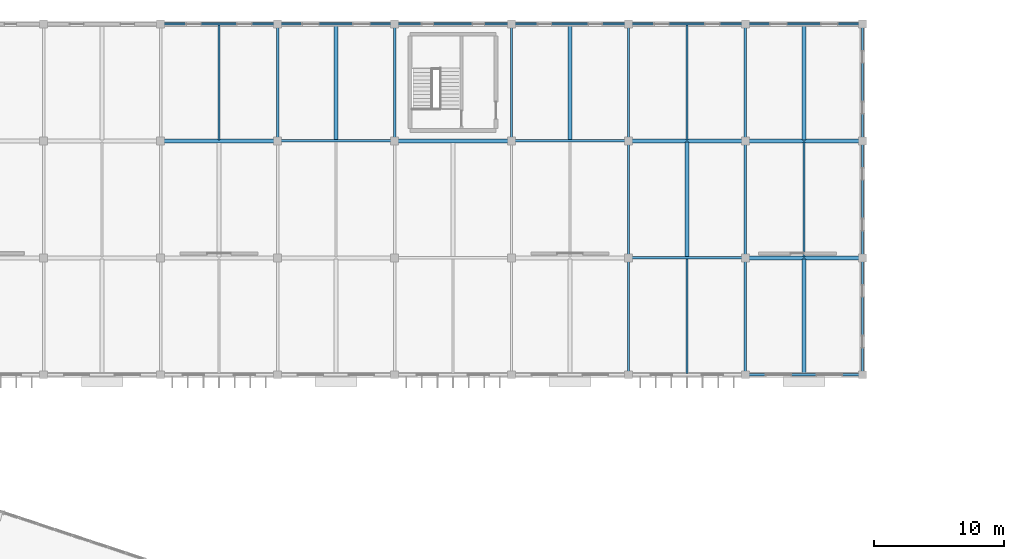
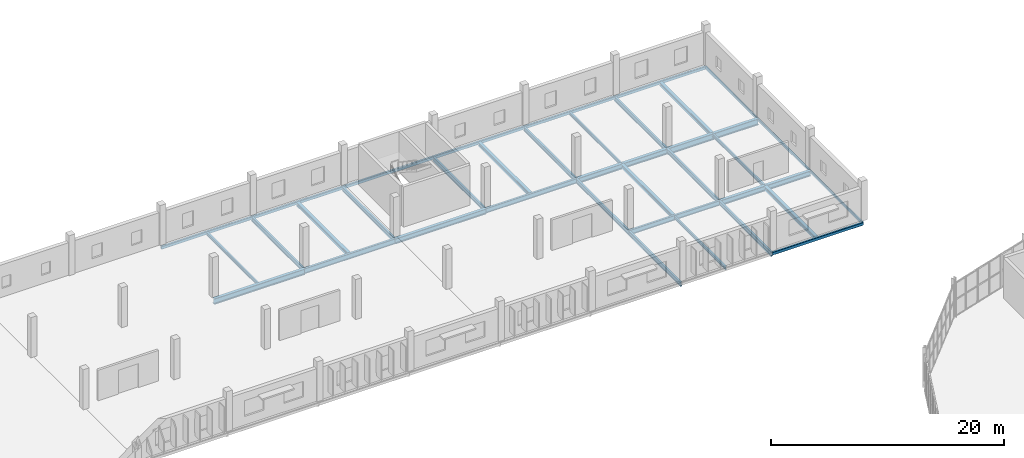
# One storey, part 104 of 161: 36 beams.
"""IFC4 building model written with IfcOpenShell, lengths in metres."""

from ifc_helpers import new_model, si_unit, direction, frame, origin, origin_2d, place, context, subcontext, project, spatial, hollow_rectangle, i_section, extrude, material, material_profile, profile_set, type_object, element, save


model = new_model("IFC4")

# Units and contexts
model_context = context("Model", 3, precision=1e-05, world=origin(), true_north=direction((0.0, 1.0)))
body_context = subcontext(model_context, "Body", "Model", "MODEL_VIEW")
ifc_project = project(units=[si_unit("LENGTHUNIT", "METRE"), si_unit("AREAUNIT", "SQUARE_METRE"), si_unit("VOLUMEUNIT", "CUBIC_METRE"), si_unit("PLANEANGLEUNIT", "RADIAN"), si_unit("MASSUNIT", "GRAM", prefix="KILO")], contexts=[model_context])

# Site, building, storey
site_placement = place(None, origin())
site = spatial("IfcSite", under=ifc_project, at=site_placement, CompositionType="ELEMENT")
building_placement = place(site_placement, origin())
building = spatial("IfcBuilding", under=site, at=building_placement, Name="Kildeholm Park Wholesale Market", CompositionType="ELEMENT")
storey_placement = place(building_placement, frame((0.0, 0.0, 5.39990234375)))
storey = spatial("IfcBuildingStorey", under=building, at=storey_placement, Name="L01", CompositionType="ELEMENT", Elevation=5.39990234375)

# Beams
ifc_material = material(Name="Steel S355", Category="steel")
ifc_material_profile_1 = material_profile(ifc_material, i_section(OverallWidth=0.18994140625, OverallDepth=0.449951171875, WebThickness=0.009521484375, FlangeThickness=0.0146484375, FilletRadius=0.02099609375, at=origin_2d()), Name="IPE 450")
ifc_profile_set_1 = profile_set([ifc_material_profile_1], Name="Steel S355")
beam_type_1 = type_object("IfcBeamType", Name="Beam B-P02 IPE 450", PredefinedType="BEAM", material=ifc_profile_set_1)
for number, where, z_axis, x_axis, name in (
    (1, (135.0, 162.0, -0.544921875), (0.0, 1.0, 0.0), (-1.0, 0.0, 0.0), "Beam BM-V4-L01-Y-135-162 BM-0636"),
    (2, (144.0, 162.0, -0.544921875), (0.0, 1.0, 0.0), (-1.0, 0.0, 0.0), "Beam BM-V4-L01-Y-144-162 BM-0646"),
    (3, (153.0, 162.0, -0.544921875), (0.0, 1.0, 0.0), (-1.0, 0.0, 0.0), "Beam BM-V4-L01-Y-153-162 BM-0655"),
    (4, (162.0, 144.0, -0.544921875), (0.0, 1.0, 0.0), (-1.0, 0.0, 0.0), "Beam BM-V4-L01-Y-162-144 BM-0659"),
    (5, (162.0, 153.0, -0.544921875), (0.0, 1.0, 0.0), (-1.0, 0.0, 0.0), "Beam BM-V4-L01-Y-162-153 BM-0662"),
    (6, (162.0, 162.0, -0.544921875), (0.0, 1.0, 0.0), (-1.0, 0.0, 0.0), "Beam BM-V4-L01-Y-162-162 BM-0665"),
    (7, (171.0, 144.0, -0.544921875), (0.0, 1.0, 0.0), (-1.0, 0.0, 0.0), "Beam BM-V4-L01-Y-171-144 BM-0669"),
    (8, (171.0, 153.0, -0.544921875), (0.0, 1.0, 0.0), (-1.0, 0.0, 0.0), "Beam BM-V4-L01-Y-171-153 BM-0672"),
    (9, (171.0, 162.0, -0.544921875), (0.0, 1.0, 0.0), (-1.0, 0.0, 0.0), "Beam BM-V4-L01-Y-171-162 BM-0675"),
):
    element("IfcBeam", number, at=place(storey_placement, frame(where, z_axis=z_axis, x_axis=x_axis)), inside=storey, type_object=beam_type_1, Name=name, PredefinedType="BEAM", context=body_context, shape_type="SweptSolid", body=[
        extrude(i_section(OverallWidth=0.18994140625, OverallDepth=0.449951171875, WebThickness=0.009521484375, FlangeThickness=0.0146484375, FilletRadius=0.02099609375, at=origin_2d()), origin(), (0.0, 0.0, 1.0), 9.0),
    ])
ifc_material_profile_2 = material_profile(ifc_material, i_section(OverallWidth=0.199951171875, OverallDepth=0.5, WebThickness=0.01025390625, FlangeThickness=0.01611328125, FilletRadius=0.02099609375, at=origin_2d()), Name="IPE 500")
ifc_profile_set_2 = profile_set([ifc_material_profile_2], Name="Steel S355")
beam_type_2 = type_object("IfcBeamType", Name="Beam B-P03 IPE 500", PredefinedType="BEAM", material=ifc_profile_set_2)
for number, where, z_axis, x_axis, name in (
    (10, (153.0, 162.0, -0.56982421875), (1.0, 0.0, 0.0), (0.0, 1.0, 0.0), "Beam BM-V4-L01-X-153-162 BM-0654"),
    (11, (162.0, 153.0, -0.56982421875), (1.0, 0.0, 0.0), (0.0, 1.0, 0.0), "Beam BM-V4-L01-X-162-153 BM-0661"),
):
    element("IfcBeam", number, at=place(storey_placement, frame(where, z_axis=z_axis, x_axis=x_axis)), inside=storey, type_object=beam_type_2, Name=name, PredefinedType="BEAM", context=body_context, shape_type="SweptSolid", body=[
        extrude(i_section(OverallWidth=0.199951171875, OverallDepth=0.5, WebThickness=0.01025390625, FlangeThickness=0.01611328125, FilletRadius=0.02099609375, at=origin_2d()), origin(), (0.0, 0.0, 1.0), 9.0),
    ])
ifc_material_profile_3 = material_profile(ifc_material, i_section(OverallWidth=0.2099609375, OverallDepth=0.550048828125, WebThickness=0.010986328125, FlangeThickness=0.01708984375, FilletRadius=0.02392578125, at=origin_2d()), Name="IPE 550")
ifc_profile_set_3 = profile_set([ifc_material_profile_3], Name="Steel S355")
beam_type_3 = type_object("IfcBeamType", Name="Beam B-X01 IPE 550", PredefinedType="BEAM", material=ifc_profile_set_3)
beam_1_placement = place(storey_placement, frame((135.0, 162.0, -0.594970703125), z_axis=(1.0, 0.0, 0.0), x_axis=(0.0, 1.0, 0.0)))
element("IfcBeam", 12, at=beam_1_placement, inside=storey, type_object=beam_type_3, Name="Beam BM-V4-L01-X-135-162 BM-0635", PredefinedType="BEAM", context=body_context, shape_type="SweptSolid", body=[
    extrude(i_section(OverallWidth=0.2099609375, OverallDepth=0.550048828125, WebThickness=0.010986328125, FlangeThickness=0.01708984375, FilletRadius=0.02392578125, at=origin_2d()), origin(), (0.0, 0.0, 1.0), 9.0),
])
ifc_material_profile_4 = material_profile(ifc_material, i_section(OverallWidth=0.300048828125, OverallDepth=0.5400390625, WebThickness=0.012451171875, FlangeThickness=0.02392578125, FilletRadius=0.027099609375, at=origin_2d()), Name="HEA 550")
ifc_profile_set_4 = profile_set([ifc_material_profile_4], Name="Steel S355")
beam_type_4 = type_object("IfcBeamType", Name="Beam B-X02 HEA 550", PredefinedType="BEAM", material=ifc_profile_set_4)
beam_2_placement = place(storey_placement, frame((144.0, 162.0, -0.58984375), z_axis=(1.0, 0.0, 0.0), x_axis=(0.0, 1.0, 0.0)))
element("IfcBeam", 13, at=beam_2_placement, inside=storey, type_object=beam_type_4, Name="Beam BM-V4-L01-X-144-162 BM-0645", PredefinedType="BEAM", context=body_context, shape_type="SweptSolid", body=[
    extrude(i_section(OverallWidth=0.300048828125, OverallDepth=0.5400390625, WebThickness=0.012451171875, FlangeThickness=0.02392578125, FilletRadius=0.027099609375, at=origin_2d()), origin(), (0.0, 0.0, 1.0), 9.0),
])
ifc_material_profile_5 = material_profile(ifc_material, i_section(OverallWidth=0.300048828125, OverallDepth=0.550048828125, WebThickness=0.014892578125, FlangeThickness=0.029052734375, FilletRadius=0.027099609375, at=origin_2d()), Name="HEB 550")
ifc_profile_set_5 = profile_set([ifc_material_profile_5], Name="Steel S355")
beam_type_5 = type_object("IfcBeamType", Name="Beam B-X03 HEB 550", PredefinedType="BEAM", material=ifc_profile_set_5)
for number, where, z_axis, x_axis, name in (
    (14, (162.0, 162.0, -0.594970703125), (1.0, 0.0, 0.0), (0.0, 1.0, 0.0), "Beam BM-V4-L01-X-162-162 BM-0664"),
    (15, (171.0, 153.0, -0.594970703125), (1.0, 0.0, 0.0), (0.0, 1.0, 0.0), "Beam BM-V4-L01-X-171-153 BM-0671"),
):
    element("IfcBeam", number, at=place(storey_placement, frame(where, z_axis=z_axis, x_axis=x_axis)), inside=storey, type_object=beam_type_5, Name=name, PredefinedType="BEAM", context=body_context, shape_type="SweptSolid", body=[
        extrude(i_section(OverallWidth=0.300048828125, OverallDepth=0.550048828125, WebThickness=0.014892578125, FlangeThickness=0.029052734375, FilletRadius=0.027099609375, at=origin_2d()), origin(), (0.0, 0.0, 1.0), 9.0),
    ])
ifc_material_profile_6 = material_profile(ifc_material, i_section(OverallWidth=0.300048828125, OverallDepth=0.64990234375, WebThickness=0.01611328125, FlangeThickness=0.031005859375, FilletRadius=0.027099609375, at=origin_2d()), Name="HEB 650")
ifc_profile_set_6 = profile_set([ifc_material_profile_6], Name="Steel S355")
beam_type_6 = type_object("IfcBeamType", Name="Beam B-X04 HEB 650", PredefinedType="BEAM", material=ifc_profile_set_6)
beam_3_placement = place(storey_placement, frame((171.0, 162.0, -0.64501953125), z_axis=(1.0, 0.0, 0.0), x_axis=(0.0, 1.0, 0.0)))
element("IfcBeam", 16, at=beam_3_placement, inside=storey, type_object=beam_type_6, Name="Beam BM-V4-L01-X-171-162 BM-0674", PredefinedType="BEAM", context=body_context, shape_type="SweptSolid", body=[
    extrude(i_section(OverallWidth=0.300048828125, OverallDepth=0.64990234375, WebThickness=0.01611328125, FlangeThickness=0.031005859375, FilletRadius=0.027099609375, at=origin_2d()), origin(), (0.0, 0.0, 1.0), 9.0),
])
ifc_material_profile_7 = material_profile(ifc_material, i_section(OverallWidth=0.300048828125, OverallDepth=0.60009765625, WebThickness=0.015380859375, FlangeThickness=0.030029296875, FilletRadius=0.027099609375, at=origin_2d()), Name="HEB 600")
ifc_profile_set_7 = profile_set([ifc_material_profile_7], Name="Steel S355")
beam_type_7 = type_object("IfcBeamType", Name="Beam B-X06 HEB 600", PredefinedType="BEAM", material=ifc_profile_set_7)
beam_4_placement = place(storey_placement, frame((126.0, 162.0, -0.619873046875), z_axis=(1.0, 0.0, 0.0), x_axis=(0.0, 1.0, 0.0)))
element("IfcBeam", 17, at=beam_4_placement, inside=storey, type_object=beam_type_7, Name="Beam BM-V4-L01-X-126-162 BM-0625", PredefinedType="BEAM", context=body_context, shape_type="SweptSolid", body=[
    extrude(i_section(OverallWidth=0.300048828125, OverallDepth=0.60009765625, WebThickness=0.015380859375, FlangeThickness=0.030029296875, FilletRadius=0.027099609375, at=origin_2d()), origin(), (0.0, 0.0, 1.0), 9.0),
])
ifc_material_profile_8 = material_profile(ifc_material, i_section(OverallWidth=0.159912109375, OverallDepth=0.330078125, WebThickness=0.007568359375, FlangeThickness=0.011474609375, FilletRadius=0.01806640625, at=origin_2d()), Name="IPE 330")
ifc_profile_set_8 = profile_set([ifc_material_profile_8], Name="Steel S355")
beam_type_8 = type_object("IfcBeamType", Name="Beam J-03 IPE 330", PredefinedType="JOIST", material=ifc_profile_set_8)
for number, where, z_axis, x_axis, name in (
    (18, (130.5, 162.0849609375, -0.48486328125), (0.0, 1.0, 0.0), (-1.0, 0.0, 0.0), "Beam JT-V4-L01-126-162 BM-0627"),
    (19, (166.5, 144.0849609375, -0.48486328125), (0.0, 1.0, 0.0), (-1.0, 0.0, 0.0), "Beam JT-V4-L01-162-144 BM-0660"),
    (20, (166.5, 162.0849609375, -0.48486328125), (0.0, 1.0, 0.0), (-1.0, 0.0, 0.0), "Beam JT-V4-L01-162-162 BM-0666"),
    (21, (175.5, 153.0849609375, -0.48486328125), (0.0, 1.0, 0.0), (-1.0, 0.0, 0.0), "Beam JT-V4-L01-171-153 BM-0673"),
):
    element("IfcBeam", number, at=place(storey_placement, frame(where, z_axis=z_axis, x_axis=x_axis)), inside=storey, type_object=beam_type_8, Name=name, PredefinedType="JOIST", context=body_context, shape_type="SweptSolid", body=[
        extrude(i_section(OverallWidth=0.159912109375, OverallDepth=0.330078125, WebThickness=0.007568359375, FlangeThickness=0.011474609375, FilletRadius=0.01806640625, at=origin_2d()), origin(), (0.0, 0.0, 1.0), 8.830078125),
    ])
ifc_material_profile_9 = material_profile(ifc_material, i_section(OverallWidth=0.300048828125, OverallDepth=0.389892578125, WebThickness=0.010986328125, FlangeThickness=0.01904296875, FilletRadius=0.027099609375, at=origin_2d()), Name="HEA 400")
ifc_profile_set_9 = profile_set([ifc_material_profile_9], Name="Steel S355")
beam_type_9 = type_object("IfcBeamType", Name="Beam J-06 HEA 400", PredefinedType="JOIST", material=ifc_profile_set_9)
for number, where, z_axis, x_axis, name in (
    (22, (139.5, 162.0849609375, -0.514892578125), (0.0, 1.0, 0.0), (-1.0, 0.0, 0.0), "Beam JT-V4-L01-135-162 BM-0637"),
    (23, (157.5, 162.0849609375, -0.514892578125), (0.0, 1.0, 0.0), (-1.0, 0.0, 0.0), "Beam JT-V4-L01-153-162 BM-0656"),
    (24, (166.5, 153.0849609375, -0.514892578125), (0.0, 1.0, 0.0), (-1.0, 0.0, 0.0), "Beam JT-V4-L01-162-153 BM-0663"),
    (25, (175.5, 144.0849609375, -0.514892578125), (0.0, 1.0, 0.0), (-1.0, 0.0, 0.0), "Beam JT-V4-L01-171-144 BM-0670"),
    (26, (175.5, 162.0849609375, -0.514892578125), (0.0, 1.0, 0.0), (-1.0, 0.0, 0.0), "Beam JT-V4-L01-171-162 BM-0676"),
):
    element("IfcBeam", number, at=place(storey_placement, frame(where, z_axis=z_axis, x_axis=x_axis)), inside=storey, type_object=beam_type_9, Name=name, PredefinedType="JOIST", context=body_context, shape_type="SweptSolid", body=[
        extrude(i_section(OverallWidth=0.300048828125, OverallDepth=0.389892578125, WebThickness=0.010986328125, FlangeThickness=0.01904296875, FilletRadius=0.027099609375, at=origin_2d()), origin(), (0.0, 0.0, 1.0), 8.830078125),
    ])
ifc_material_profile_10 = material_profile(ifc_material, hollow_rectangle(XDim=0.199951171875, YDim=0.300048828125, WallThickness=0.012451171875, InnerFilletRadius=0.012451171875, OuterFilletRadius=0.02490234375, at=origin_2d()), Name="RHS 300x200x12.5")
ifc_profile_set_10 = profile_set([ifc_material_profile_10], Name="Steel S355")
beam_type_10 = type_object("IfcBeamType", Name="Beam SP-01 RHS 300x200x12.5", PredefinedType="SPANDREL", material=ifc_profile_set_10)
for number, where, z_axis, x_axis, name in (
    (27, (126.0, 171.0, -0.469970703125), (1.0, 0.0, 0.0), (0.0, 1.0, 0.0), "Beam BM-V4-L01-X-126-171 BM-0628"),
    (28, (135.0, 171.0, -0.469970703125), (1.0, 0.0, 0.0), (0.0, 1.0, 0.0), "Beam BM-V4-L01-X-135-171 BM-0638"),
    (29, (144.0, 171.0, -0.469970703125), (1.0, 0.0, 0.0), (0.0, 1.0, 0.0), "Beam BM-V4-L01-X-144-171 BM-0647"),
    (30, (153.0, 171.0, -0.469970703125), (1.0, 0.0, 0.0), (0.0, 1.0, 0.0), "Beam BM-V4-L01-X-153-171 BM-0657"),
    (31, (162.0, 171.0, -0.469970703125), (1.0, 0.0, 0.0), (0.0, 1.0, 0.0), "Beam BM-V4-L01-X-162-171 BM-0667"),
    (32, (171.0, 144.0, -0.469970703125), (1.0, 0.0, 0.0), (0.0, 1.0, 0.0), "Beam BM-V4-L01-X-171-144 BM-0668"),
    (33, (171.0, 171.0, -0.469970703125), (1.0, 0.0, 0.0), (0.0, 1.0, 0.0), "Beam BM-V4-L01-X-171-171 BM-0677"),
):
    element("IfcBeam", number, at=place(storey_placement, frame(where, z_axis=z_axis, x_axis=x_axis)), inside=storey, type_object=beam_type_10, Name=name, PredefinedType="SPANDREL", context=body_context, shape_type="SweptSolid", body=[
        extrude(hollow_rectangle(XDim=0.199951171875, YDim=0.300048828125, WallThickness=0.012451171875, InnerFilletRadius=0.012451171875, OuterFilletRadius=0.02490234375, at=origin_2d()), origin(), (0.0, 0.0, 1.0), 9.0),
    ])
ifc_material_profile_11 = material_profile(ifc_material, hollow_rectangle(XDim=0.14990234375, YDim=0.25, WallThickness=0.010009765625, InnerFilletRadius=0.010009765625, OuterFilletRadius=0.02001953125, at=origin_2d()), Name="RHS 250x150x10")
ifc_profile_set_11 = profile_set([ifc_material_profile_11], Name="Steel S355")
beam_type_11 = type_object("IfcBeamType", Name="Beam SP-02 RHS 250x150x10", PredefinedType="SPANDREL", material=ifc_profile_set_11)
for number, where, z_axis, x_axis, name in (
    (34, (180.0, 144.0, -0.44482421875), (0.0, 1.0, 0.0), (-1.0, 0.0, 0.0), "Beam BM-V4-L01-Y-180-144 BM-0678"),
    (35, (180.0, 153.0, -0.44482421875), (0.0, 1.0, 0.0), (-1.0, 0.0, 0.0), "Beam BM-V4-L01-Y-180-153 BM-0679"),
    (36, (180.0, 162.0, -0.44482421875), (0.0, 1.0, 0.0), (-1.0, 0.0, 0.0), "Beam BM-V4-L01-Y-180-162 BM-0680"),
):
    element("IfcBeam", number, at=place(storey_placement, frame(where, z_axis=z_axis, x_axis=x_axis)), inside=storey, type_object=beam_type_11, Name=name, PredefinedType="SPANDREL", context=body_context, shape_type="SweptSolid", body=[
        extrude(hollow_rectangle(XDim=0.14990234375, YDim=0.25, WallThickness=0.010009765625, InnerFilletRadius=0.010009765625, OuterFilletRadius=0.02001953125, at=origin_2d()), origin(), (0.0, 0.0, 1.0), 9.0),
    ])

save(model, "model.ifc")
